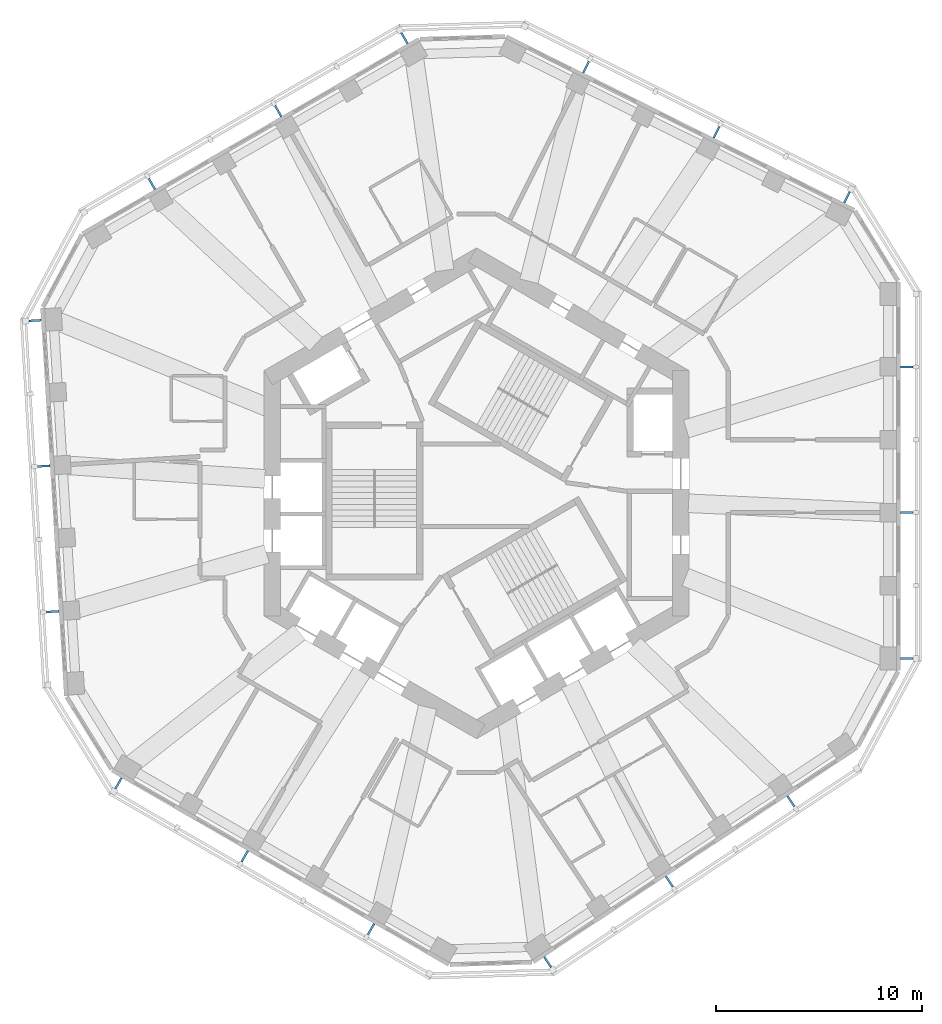
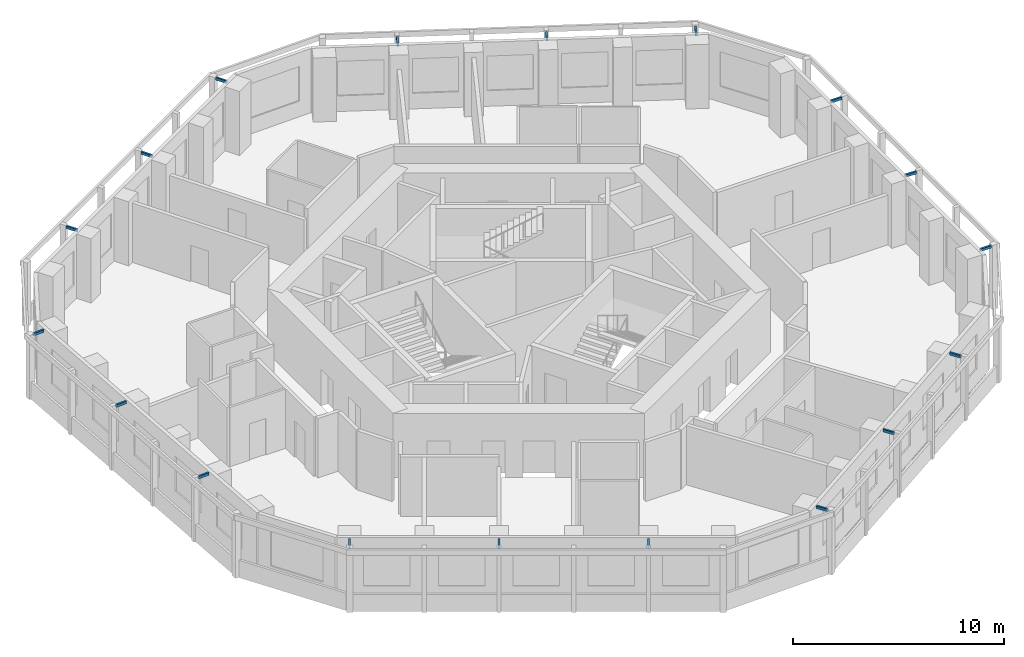
# One storey, part 10 of 11: 18 discrete accessories.
"""IFC4 building model written with IfcOpenShell, lengths in metres."""

from ifc_helpers import new_model, si_unit, direction, frame, origin, origin_2d, place, context, subcontext, project, spatial, rectangle, extrude, material, type_object, element, save


model = new_model("IFC4")

# Units and contexts
model_context = context("Model", 3, precision=1e-05, world=origin(), true_north=direction((0.0, 1.0)))
body_context = subcontext(model_context, "Body", "Model", "MODEL_VIEW")
ifc_project = project(units=[si_unit("LENGTHUNIT", "METRE"), si_unit("AREAUNIT", "SQUARE_METRE"), si_unit("VOLUMEUNIT", "CUBIC_METRE"), si_unit("PLANEANGLEUNIT", "RADIAN"), si_unit("MASSUNIT", "GRAM", prefix="KILO")], contexts=[model_context])

# Site, building, storey
site_placement = place(None, origin())
site = spatial("IfcSite", under=ifc_project, at=site_placement, CompositionType="ELEMENT")
building_placement = place(site_placement, origin())
building = spatial("IfcBuilding", under=site, at=building_placement, Name="Vanh Sen Convention Tower", CompositionType="ELEMENT")
storey_placement = place(building_placement, frame((0.0, 0.0, 236.5)))
storey = spatial("IfcBuildingStorey", under=building, at=storey_placement, Name="L58", CompositionType="ELEMENT", Elevation=236.5)

# Discrete accessories
ifc_material = material(Name="Steel S355", Category="steel")
discrete_accessory_type = type_object("IfcDiscreteAccessoryType", Name="Fin bracket 100 x 150", PredefinedType="BRACKET", material=ifc_material)
for number, where, z_axis, x_axis, name in (
    (1, (20.85009765625, -8.002685546875, 3.5), (0.0, 0.0, 1.0), (1.0, 0.0, 0.0), "Fin bracket E-1 L58"),
    (2, (20.85009765625, -0.935546875, 3.5), (0.0, 0.0, 1.0), (1.0, 0.0, 0.0), "Fin bracket E-3 L58"),
    (3, (20.85009765625, 6.131591796875, 3.5), (0.0, 0.0, 1.0), (1.0, 0.0, 0.0), "Fin bracket E-5 L58"),
    (4, (17.953125, 14.3466796875, 3.5), (0.0, 0.0, 1.0), (0.44619781311, 0.894934361602, 0.0), "Fin bracket NE-1 L58"),
    (5, (11.62841796875, 17.5, 3.5), (0.0, 0.0, 1.0), (0.44619781311, 0.894934361602, 0.0), "Fin bracket NE-3 L58"),
    (6, (5.3037109375, 20.653564453125, 3.5), (0.0, 0.0, 1.0), (0.44619781311, 0.894934361602, 0.0), "Fin bracket NE-5 L58"),
    (7, (-3.494384765625, 22.05810546875, 3.5), (0.0, 0.0, 1.0), (-0.5, 0.866025403784, 0.0), "Fin bracket NW-1 L58"),
    (8, (-9.61474609375, 18.5244140625, 3.5), (0.0, 0.0, 1.0), (-0.5, 0.866025403784, 0.0), "Fin bracket NW-3 L58"),
    (9, (-15.735107421875, 14.99072265625, 3.5), (0.0, 0.0, 1.0), (-0.5, 0.866025403784, 0.0), "Fin bracket NW-5 L58"),
    (10, (-21.401123046875, 8.37451171875, 3.5), (0.0, 0.0, 1.0), (-0.998134798422, -0.061048539535, 0.0), "Fin bracket W-1 L58"),
    (11, (-20.9697265625, 1.3203125, 3.5), (0.0, 0.0, 1.0), (-0.998134798422, -0.061048539535, 0.0), "Fin bracket W-3 L58"),
    (12, (-20.538330078125, -5.733642578125, 3.5), (0.0, 0.0, 1.0), (-0.998134798422, -0.061048539535, 0.0), "Fin bracket W-5 L58"),
    (13, (-17.355712890625, -14.05517578125, 3.5), (0.0, 0.0, 1.0), (-0.5, -0.866025403784, 0.0), "Fin bracket SW-1 L58"),
    (14, (-11.235107421875, -17.5888671875, 3.5), (0.0, 0.0, 1.0), (-0.5, -0.866025403784, 0.0), "Fin bracket SW-3 L58"),
    (15, (-5.11474609375, -21.12255859375, 3.5), (0.0, 0.0, 1.0), (-0.5, -0.866025403784, 0.0), "Fin bracket SW-5 L58"),
    (16, (3.447998046875, -22.72119140625, 3.5), (0.0, 0.0, 1.0), (0.551936985312, -0.833885822067, 0.0), "Fin bracket SE-1 L58"),
    (17, (9.34130859375, -18.820556640625, 3.5), (0.0, 0.0, 1.0), (0.551936985312, -0.833885822067, 0.0), "Fin bracket SE-3 L58"),
    (18, (15.234619140625, -14.919921875, 3.5), (0.0, 0.0, 1.0), (0.551936985312, -0.833885822067, 0.0), "Fin bracket SE-5 L58"),
):
    element("IfcDiscreteAccessory", number, at=place(storey_placement, frame(where, z_axis=z_axis, x_axis=x_axis)), inside=storey, type_object=discrete_accessory_type, Name=name, PredefinedType="BRACKET", context=body_context, shape_type="SweptSolid", body=[
        extrude(rectangle(XDim=0.60009765625, YDim=0.10009765625, at=origin_2d()), origin(), (0.0, 0.0, 1.0), 0.14990234375),
    ])

save(model, "model.ifc")
